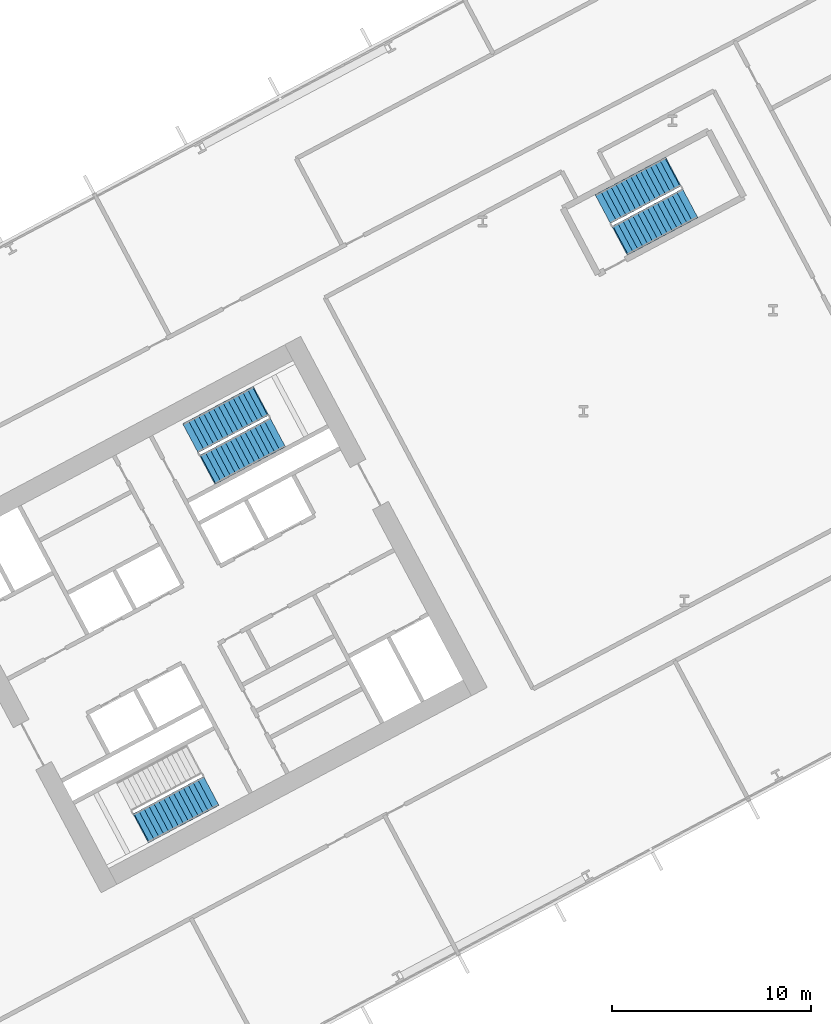
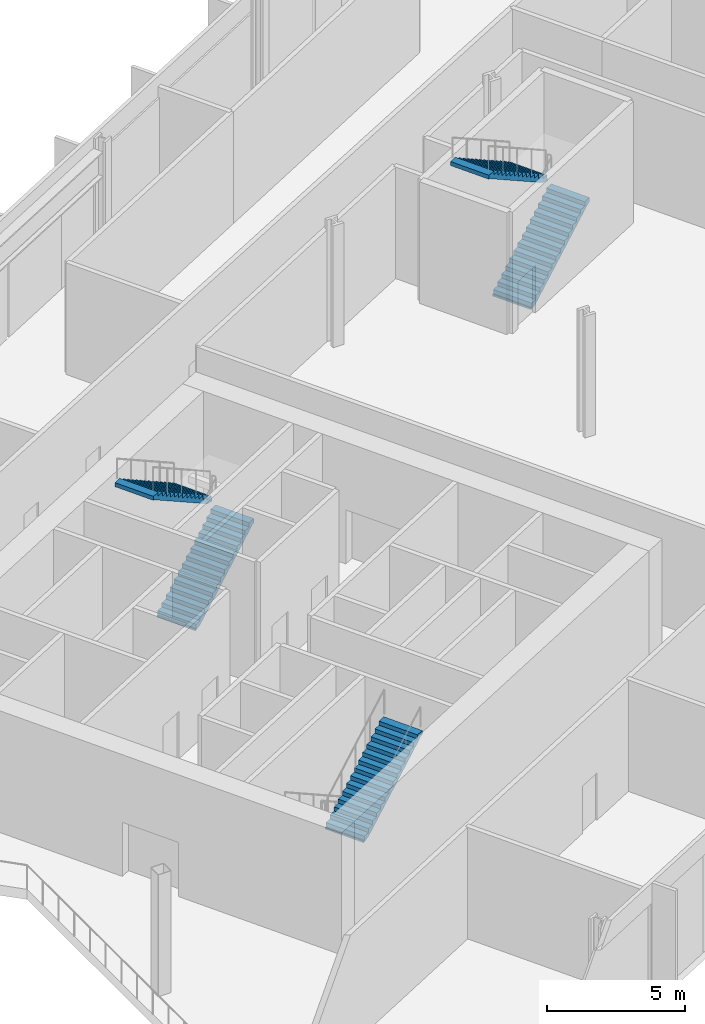
# One storey, part 19 of 31: 5 stair flights, 3 elements without a shape of their own.
"""IFC4 building model written with IfcOpenShell, lengths in metres."""

from ifc_helpers import new_model, si_unit, direction, frame, origin, place, context, subcontext, project, spatial, polyline, outline, extrude, material, type_object, element, aggregate, save


model = new_model("IFC4")

# Units and contexts
model_context = context("Model", 3, precision=1e-05, world=origin(), true_north=direction((0.0, 1.0)))
body_context = subcontext(model_context, "Body", "Model", "MODEL_VIEW")
ifc_project = project(units=[si_unit("LENGTHUNIT", "METRE"), si_unit("AREAUNIT", "SQUARE_METRE"), si_unit("VOLUMEUNIT", "CUBIC_METRE"), si_unit("PLANEANGLEUNIT", "RADIAN"), si_unit("MASSUNIT", "GRAM", prefix="KILO")], contexts=[model_context])

# Site, building, storey
site_placement = place(None, origin())
site = spatial("IfcSite", under=ifc_project, at=site_placement, CompositionType="ELEMENT")
building_placement = place(site_placement, origin())
building = spatial("IfcBuilding", under=site, at=building_placement, Name="Cormorant Relay Tower", CompositionType="ELEMENT")
storey_placement = place(building_placement, frame((0.0, 0.0, 23.0)))
storey = spatial("IfcBuildingStorey", under=building, at=storey_placement, Name="L04", CompositionType="ELEMENT", Elevation=23.0)

# Stair, stair flight
ifc_material_1 = material(Name="Concrete 40 MPa", Category="concrete")
stair_type = type_object("IfcStairType", Name="Exit stair 1500", PredefinedType="HALF_TURN_STAIR", material=ifc_material_1)
stair_1_placement = place(storey_placement, origin())
stair_1 = element("IfcStair", 1, at=stair_1_placement, inside=storey, type_object=stair_type, Name="L04 Stair", PredefinedType="HALF_TURN_STAIR")
ifc_material_2 = material(Name="Concrete 40 MPa", Category="concrete")
stair_flight_type = type_object("IfcStairFlightType", Name="Exit stair flight 1650", PredefinedType="STRAIGHT", material=ifc_material_2)
stair_flight_1_placement = place(storey_placement, frame((20.8583984375, 1.945068359375, 2.699951171875), z_axis=(0.0, 0.0, 1.0), x_axis=(0.882947592859, 0.469471562786, 0.0)))
stair_flight_1 = element("IfcStairFlight", 2, at=stair_flight_1_placement, type_object=stair_flight_type, Name="B1 flight 2", NumberOfRisers=15, NumberOfTreads=14, PredefinedType="STRAIGHT", RiserHeight=0.18, TreadLength=0.28, context=body_context, shape_type="SweptSolid", body=[
    extrude(outline(polyline([(-0.050048828125, -0.080078125), (-0.050048828125, 0.0), (0.0, 0.0), (0.0, 0.179931640625), (0.280029296875, 0.179931640625), (0.280029296875, 0.360107421875), (0.56005859375, 0.360107421875), (0.56005859375, 0.5400390625), (0.840087890625, 0.5400390625), (0.840087890625, 0.719970703125), (1.1201171875, 0.719970703125), (1.1201171875, 0.89990234375), (1.39990234375, 0.89990234375), (1.39990234375, 1.080078125), (1.679931640625, 1.080078125), (1.679931640625, 1.260009765625), (1.9599609375, 1.260009765625), (1.9599609375, 1.43994140625), (2.239990234375, 1.43994140625), (2.239990234375, 1.6201171875), (2.52001953125, 1.6201171875), (2.52001953125, 1.800048828125), (2.800048828125, 1.800048828125), (2.800048828125, 1.97998046875), (3.080078125, 1.97998046875), (3.080078125, 2.159912109375), (3.360107421875, 2.159912109375), (3.360107421875, 2.340087890625), (3.639892578125, 2.340087890625), (3.639892578125, 2.52001953125), (3.919921875, 2.52001953125), (3.969970703125, 2.52001953125), (3.969970703125, 2.341796875), (3.919921875, 2.341796875), (0.277099609375, 0.0), (-0.050048828125, -0.080078125)])), frame((0.0, 0.824951171875, 0.0), z_axis=(0.0, -1.0, 0.0), x_axis=(1.0, 0.0, 0.0)), (0.0, 0.0, 1.0), 1.64990234375),
])
aggregate(stair_1, [stair_flight_1])

# Stair, stair flights
stair_2_placement = place(storey_placement, origin())
stair_2 = element("IfcStair", 3, at=stair_2_placement, inside=storey, type_object=stair_type, Name="L04 Stair", PredefinedType="HALF_TURN_STAIR")
stair_flight_2_placement = place(storey_placement, frame((24.20458984375, 19.976806640625, 0.0), z_axis=(0.0, 0.0, 1.0), x_axis=(0.882947592859, 0.469471562786, 0.0)))
stair_flight_2 = element("IfcStairFlight", 4, at=stair_flight_2_placement, type_object=stair_flight_type, Name="B2 flight 1", NumberOfRisers=15, NumberOfTreads=14, PredefinedType="STRAIGHT", RiserHeight=0.18, TreadLength=0.28, context=body_context, shape_type="SweptSolid", body=[
    extrude(outline(polyline([(-0.050048828125, -0.080078125), (-0.050048828125, 0.0), (0.0, 0.0), (0.0, 0.179931640625), (0.280029296875, 0.179931640625), (0.280029296875, 0.360107421875), (0.56005859375, 0.360107421875), (0.56005859375, 0.5400390625), (0.840087890625, 0.5400390625), (0.840087890625, 0.719970703125), (1.1201171875, 0.719970703125), (1.1201171875, 0.89990234375), (1.39990234375, 0.89990234375), (1.39990234375, 1.080078125), (1.679931640625, 1.080078125), (1.679931640625, 1.260009765625), (1.9599609375, 1.260009765625), (1.9599609375, 1.43994140625), (2.239990234375, 1.43994140625), (2.239990234375, 1.6201171875), (2.52001953125, 1.6201171875), (2.52001953125, 1.800048828125), (2.800048828125, 1.800048828125), (2.800048828125, 1.97998046875), (3.080078125, 1.97998046875), (3.080078125, 2.159912109375), (3.360107421875, 2.159912109375), (3.360107421875, 2.340087890625), (3.639892578125, 2.340087890625), (3.639892578125, 2.52001953125), (3.919921875, 2.52001953125), (3.969970703125, 2.52001953125), (3.969970703125, 2.341796875), (3.919921875, 2.341796875), (0.277099609375, 0.0), (-0.050048828125, -0.080078125)])), frame((0.0, 0.824951171875, 0.0), z_axis=(0.0, -1.0, 0.0), x_axis=(1.0, 0.0, 0.0)), (0.0, 0.0, 1.0), 1.64990234375),
])
stair_flight_3_placement = place(storey_placement, frame((26.82080078125, 23.406494140625, 2.699951171875), z_axis=(0.0, 0.0, 1.0), x_axis=(-0.882947592859, -0.469471562786, 0.0)))
stair_flight_3 = element("IfcStairFlight", 5, at=stair_flight_3_placement, type_object=stair_flight_type, Name="B2 flight 2", NumberOfRisers=15, NumberOfTreads=14, PredefinedType="STRAIGHT", RiserHeight=0.18, TreadLength=0.28, context=body_context, shape_type="SweptSolid", body=[
    extrude(outline(polyline([(-0.050048828125, -0.080078125), (-0.050048828125, 0.0), (0.0, 0.0), (0.0, 0.179931640625), (0.280029296875, 0.179931640625), (0.280029296875, 0.360107421875), (0.56005859375, 0.360107421875), (0.56005859375, 0.5400390625), (0.840087890625, 0.5400390625), (0.840087890625, 0.719970703125), (1.1201171875, 0.719970703125), (1.1201171875, 0.89990234375), (1.39990234375, 0.89990234375), (1.39990234375, 1.080078125), (1.679931640625, 1.080078125), (1.679931640625, 1.260009765625), (1.9599609375, 1.260009765625), (1.9599609375, 1.43994140625), (2.239990234375, 1.43994140625), (2.239990234375, 1.6201171875), (2.52001953125, 1.6201171875), (2.52001953125, 1.800048828125), (2.800048828125, 1.800048828125), (2.800048828125, 1.97998046875), (3.080078125, 1.97998046875), (3.080078125, 2.159912109375), (3.360107421875, 2.159912109375), (3.360107421875, 2.340087890625), (3.639892578125, 2.340087890625), (3.639892578125, 2.52001953125), (3.919921875, 2.52001953125), (3.969970703125, 2.52001953125), (3.969970703125, 2.341796875), (3.919921875, 2.341796875), (0.277099609375, 0.0), (-0.050048828125, -0.080078125)])), frame((0.0, 0.824951171875, 0.0), z_axis=(0.0, -1.0, 0.0), x_axis=(1.0, 0.0, 0.0)), (0.0, 0.0, 1.0), 1.64990234375),
])
aggregate(stair_2, [stair_flight_2, stair_flight_3])

stair_3_placement = place(storey_placement, origin())
stair_3 = element("IfcStair", 6, at=stair_3_placement, inside=storey, type_object=stair_type, Name="L04 Stair", PredefinedType="HALF_TURN_STAIR")
stair_flight_4_placement = place(storey_placement, frame((44.947509765625, 31.502197265625, 0.0), z_axis=(0.0, 0.0, 1.0), x_axis=(0.882947502727, 0.4694717323, 0.0)))
stair_flight_4 = element("IfcStairFlight", 7, at=stair_flight_4_placement, type_object=stair_flight_type, Name="RB1 flight 1", NumberOfRisers=15, NumberOfTreads=14, PredefinedType="STRAIGHT", RiserHeight=0.18, TreadLength=0.28, context=body_context, shape_type="SweptSolid", body=[
    extrude(outline(polyline([(-0.050048828125, -0.080078125), (-0.050048828125, 0.0), (0.0, 0.0), (0.0, 0.179931640625), (0.280029296875, 0.179931640625), (0.280029296875, 0.360107421875), (0.56005859375, 0.360107421875), (0.56005859375, 0.5400390625), (0.840087890625, 0.5400390625), (0.840087890625, 0.719970703125), (1.1201171875, 0.719970703125), (1.1201171875, 0.89990234375), (1.39990234375, 0.89990234375), (1.39990234375, 1.080078125), (1.679931640625, 1.080078125), (1.679931640625, 1.260009765625), (1.9599609375, 1.260009765625), (1.9599609375, 1.43994140625), (2.239990234375, 1.43994140625), (2.239990234375, 1.6201171875), (2.52001953125, 1.6201171875), (2.52001953125, 1.800048828125), (2.800048828125, 1.800048828125), (2.800048828125, 1.97998046875), (3.080078125, 1.97998046875), (3.080078125, 2.159912109375), (3.360107421875, 2.159912109375), (3.360107421875, 2.340087890625), (3.639892578125, 2.340087890625), (3.639892578125, 2.52001953125), (3.919921875, 2.52001953125), (3.969970703125, 2.52001953125), (3.969970703125, 2.341796875), (3.919921875, 2.341796875), (0.277099609375, 0.0), (-0.050048828125, -0.080078125)])), frame((0.0, 0.824951171875, 0.0), z_axis=(0.0, -1.0, 0.0), x_axis=(1.0, 0.0, 0.0)), (0.0, 0.0, 1.0), 1.64990234375),
])
stair_flight_5_placement = place(storey_placement, frame((47.563720703125, 34.931640625, 2.699951171875), z_axis=(0.0, 0.0, 1.0), x_axis=(-0.882947502727, -0.4694717323, 0.0)))
stair_flight_5 = element("IfcStairFlight", 8, at=stair_flight_5_placement, type_object=stair_flight_type, Name="RB1 flight 2", NumberOfRisers=15, NumberOfTreads=14, PredefinedType="STRAIGHT", RiserHeight=0.18, TreadLength=0.28, context=body_context, shape_type="SweptSolid", body=[
    extrude(outline(polyline([(-0.050048828125, -0.080078125), (-0.050048828125, 0.0), (0.0, 0.0), (0.0, 0.179931640625), (0.280029296875, 0.179931640625), (0.280029296875, 0.360107421875), (0.56005859375, 0.360107421875), (0.56005859375, 0.5400390625), (0.840087890625, 0.5400390625), (0.840087890625, 0.719970703125), (1.1201171875, 0.719970703125), (1.1201171875, 0.89990234375), (1.39990234375, 0.89990234375), (1.39990234375, 1.080078125), (1.679931640625, 1.080078125), (1.679931640625, 1.260009765625), (1.9599609375, 1.260009765625), (1.9599609375, 1.43994140625), (2.239990234375, 1.43994140625), (2.239990234375, 1.6201171875), (2.52001953125, 1.6201171875), (2.52001953125, 1.800048828125), (2.800048828125, 1.800048828125), (2.800048828125, 1.97998046875), (3.080078125, 1.97998046875), (3.080078125, 2.159912109375), (3.360107421875, 2.159912109375), (3.360107421875, 2.340087890625), (3.639892578125, 2.340087890625), (3.639892578125, 2.52001953125), (3.919921875, 2.52001953125), (3.969970703125, 2.52001953125), (3.969970703125, 2.341796875), (3.919921875, 2.341796875), (0.277099609375, 0.0), (-0.050048828125, -0.080078125)])), frame((0.0, 0.824951171875, 0.0), z_axis=(0.0, -1.0, 0.0), x_axis=(1.0, 0.0, 0.0)), (0.0, 0.0, 1.0), 1.64990234375),
])
aggregate(stair_3, [stair_flight_4, stair_flight_5])

save(model, "model.ifc")
